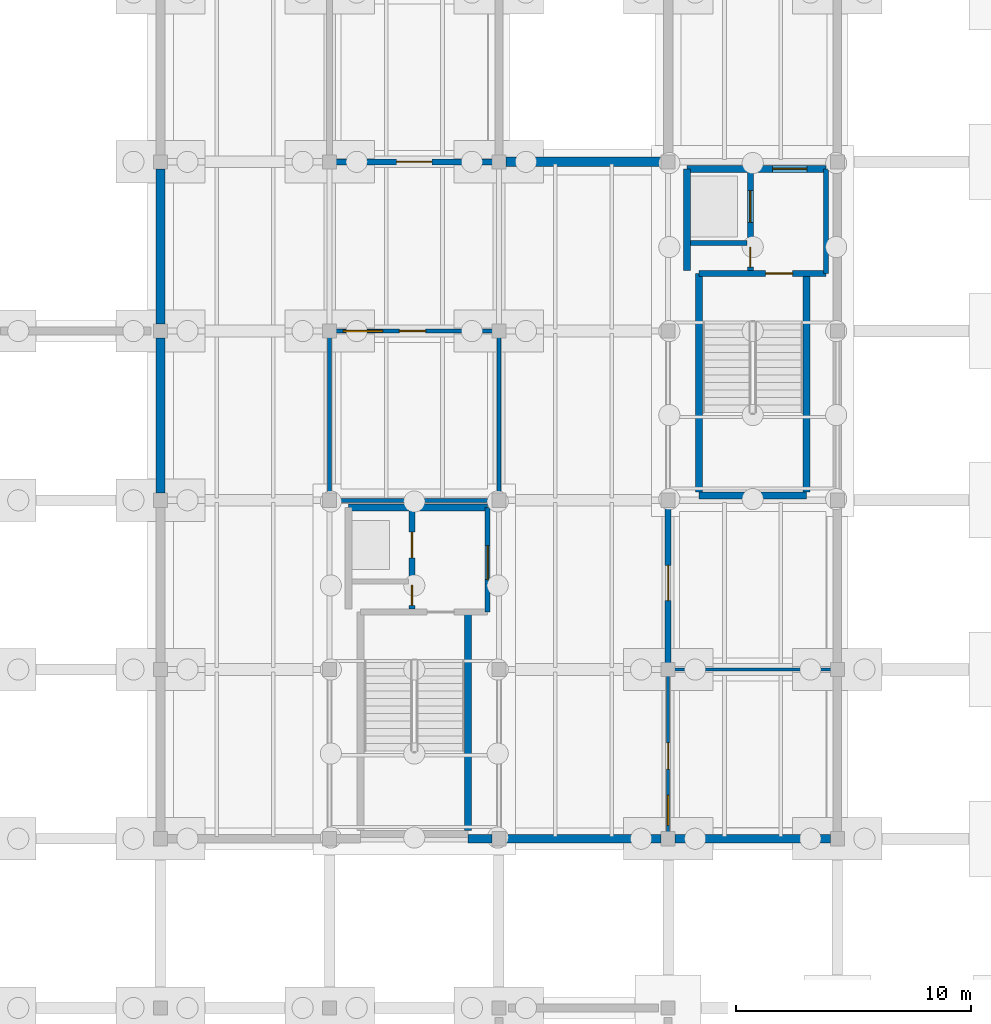
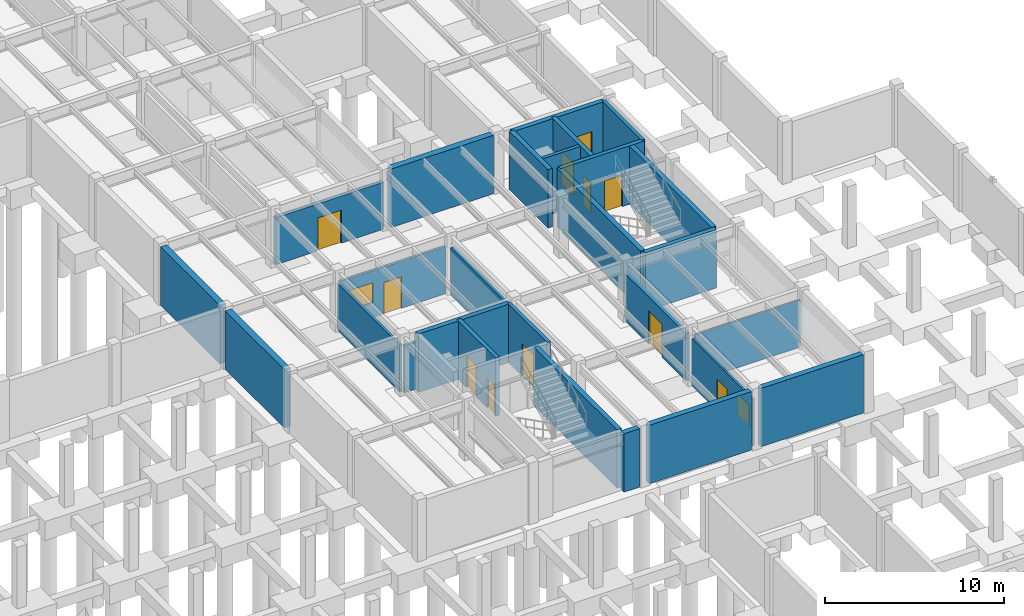
# One storey, part 33 of 46: 27 walls, 11 doors, 2 windows, 13 openings.
"""IFC4 building model written with IfcOpenShell, lengths in metres."""

from ifc_helpers import new_model, si_unit, direction, frame, frame_2d, origin, place, context, subcontext, project, spatial, rectangle, extrude, material, layer, layer_set, type_object, element, fill, save


model = new_model("IFC4")

# Units and contexts
model_context = context("Model", 3, precision=1e-05, world=origin(), true_north=direction((0.0, 1.0)))
body_context = subcontext(model_context, "Body", "Model", "MODEL_VIEW")
ifc_project = project(units=[si_unit("LENGTHUNIT", "METRE"), si_unit("AREAUNIT", "SQUARE_METRE"), si_unit("VOLUMEUNIT", "CUBIC_METRE"), si_unit("PLANEANGLEUNIT", "RADIAN"), si_unit("MASSUNIT", "GRAM", prefix="KILO")], contexts=[model_context])

# Site, building, storey
site_placement = place(None, origin())
site = spatial("IfcSite", under=ifc_project, at=site_placement, CompositionType="ELEMENT")
building_placement = place(site_placement, origin())
building = spatial("IfcBuilding", under=site, at=building_placement, Name="Sillqori Civic Hall", CompositionType="ELEMENT")
storey_placement = place(building_placement, frame((0.0, 0.0, -4.199951171875)))
storey = spatial("IfcBuildingStorey", under=building, at=storey_placement, Name="B01", CompositionType="ELEMENT", Elevation=-4.199951171875)

# Walls
ifc_material_1 = material(Name="Concrete C35/45 (H35)", Category="concrete")
ifc_layer_1 = layer(ifc_material_1, 0.219970703125)
ifc_layer_set_1 = layer_set([ifc_layer_1], Name="Concrete C35/45 (H35)")
wall_type_1 = type_object("IfcWallType", Name="CW-SHR-220", PredefinedType="SHEAR", material=ifc_layer_set_1)
wall_1_placement = place(storey_placement, frame((123.35009765625, 61.35009765625, 0.0), z_axis=(0.0, 0.0, 1.0), x_axis=(1.0, 0.0, 0.0)))
element("IfcWall", 1, at=wall_1_placement, inside=storey, type_object=wall_type_1, Name="B01 C2 Lift-riser divider wall", PredefinedType="SHEAR", context=body_context, shape_type="SweptSolid", body=[
    extrude(rectangle(XDim=2.39990234375, YDim=0.219970703125, at=frame_2d((1.199951171875, 0.0))), origin(), (0.0, 0.0, 1.0), 3.97998046875),
])
wall_2_placement = place(storey_placement, frame((129.1201171875, 64.5, 0.0), z_axis=(0.0, 0.0, 1.0), x_axis=(0.0, -1.0, 0.0)))
element("IfcWall", 2, at=wall_2_placement, inside=storey, type_object=wall_type_1, Name="B01 C2 firefighting lobby enclosure wall", PredefinedType="SHEAR", context=body_context, shape_type="SweptSolid", body=[
    extrude(rectangle(XDim=4.449951171875, YDim=0.219970703125, at=frame_2d((2.22509765625, 0.0))), origin(), (0.0, 0.0, 1.0), 3.97998046875),
])

# Wall, opening, door
wall_3_placement = place(storey_placement, frame((114.719970703125, 50.10009765625, 0.0), z_axis=(0.0, 0.0, 1.0), x_axis=(0.0, -1.0, 0.0)))
wall_3 = element("IfcWall", 3, at=wall_3_placement, inside=storey, type_object=wall_type_1, Name="B01 C3 firefighting lobby enclosure wall", PredefinedType="SHEAR", context=body_context, shape_type="SweptSolid", body=[
    extrude(rectangle(XDim=4.4501953125, YDim=0.219970703125, at=frame_2d((2.22509765625, 0.0))), origin(), (0.0, 0.0, 1.0), 3.97998046875),
])
opening_1_placement = place(wall_3_placement, frame((1.625, 0.0, 0.0)))
opening_1 = element("IfcOpeningElement", 4, at=opening_1_placement, cuts=wall_3, Name="Opening FD-03", PredefinedType="OPENING", context=body_context, shape_type="SweptSolid", body=[
    extrude(rectangle(XDim=1.449951171875, YDim=2.199951171875, at=frame_2d((0.72509765625, 1.10009765625))), frame((0.0, 0.119873046875, 0.0), z_axis=(0.0, -1.0, 0.0), x_axis=(1.0, 0.0, 0.0)), (0.0, 0.0, 1.0), 0.239990234375),
])
ifc_material_2 = material(Name="Double-Leaf Smoke-Seal Lobby Door", Category="steel")
door_type_1 = type_object("IfcDoorType", Name="FDR-LOB-145X220", OperationType="NOTDEFINED", PredefinedType="DOOR", material=ifc_material_2)
door_1_placement = place(opening_1_placement, origin())
door_1 = element("IfcDoor", 5, at=door_1_placement, inside=storey, type_object=door_type_1, Name="B01 C3 firefighting lobby exit door", OperationType="DOUBLE_DOOR_SINGLE_SWING", OverallHeight=2.199951171875, OverallWidth=1.449951171875, PredefinedType="DOOR", context=body_context, shape_type="SweptSolid", body=[
    extrude(rectangle(XDim=1.449951171875, YDim=2.199951171875, at=frame_2d((0.72509765625, 1.10009765625))), frame((0.0, 0.02490234375, 0.0), z_axis=(0.0, -1.0, 0.0), x_axis=(1.0, 0.0, 0.0)), (0.0, 0.0, 1.0), 0.050048828125),
])
fill(opening_1, door_1)

ifc_layer_2 = layer(ifc_material_1, 0.260009765625)
ifc_layer_set_2 = layer_set([ifc_layer_2], Name="Concrete C35/45 (H35)")
wall_type_2 = type_object("IfcWallType", Name="CW-SHR-260", PredefinedType="SHEAR", material=ifc_layer_set_2)
wall_4_placement = place(storey_placement, frame((123.7099609375, 60.050048828125, 0.0), z_axis=(0.0, 0.0, 1.0), x_axis=(1.0, 0.0, 0.0)))
wall_4 = element("IfcWall", 6, at=wall_4_placement, inside=storey, type_object=wall_type_2, Name="B01 C2 Stair-lobby fire wall", PredefinedType="SHEAR", context=body_context, shape_type="SweptSolid", body=[
    extrude(rectangle(XDim=5.41015625, YDim=0.260009765625, at=frame_2d((2.705078125, 0.0))), origin(), (0.0, 0.0, 1.0), 3.97998046875),
])
opening_2_placement = place(wall_4_placement, frame((2.840087890625, 0.0, 0.0)))
opening_2 = element("IfcOpeningElement", 7, at=opening_2_placement, cuts=wall_4, Name="Opening FD-01", PredefinedType="OPENING", context=body_context, shape_type="SweptSolid", body=[
    extrude(rectangle(XDim=1.14990234375, YDim=2.14990234375, at=frame_2d((0.574951171875, 1.074951171875))), frame((0.0, 0.139892578125, 0.0), z_axis=(0.0, -1.0, 0.0), x_axis=(1.0, 0.0, 0.0)), (0.0, 0.0, 1.0), 0.280029296875),
])
ifc_material_3 = material(Name="Galvanized Steel Fire Door FD90S", Category="steel")
door_type_2 = type_object("IfcDoorType", Name="FDR-STR-115X215", OperationType="NOTDEFINED", PredefinedType="DOOR", material=ifc_material_3)
door_2_placement = place(opening_2_placement, origin())
door_2 = element("IfcDoor", 8, at=door_2_placement, inside=storey, type_object=door_type_2, Name="B01 stair ST-02 fire door", OperationType="SINGLE_SWING_RIGHT", OverallHeight=2.14990234375, OverallWidth=1.14990234375, PredefinedType="DOOR", context=body_context, shape_type="SweptSolid", body=[
    extrude(rectangle(XDim=1.14990234375, YDim=2.14990234375, at=frame_2d((0.574951171875, 1.074951171875))), frame((0.0, 0.02490234375, 0.0), z_axis=(0.0, -1.0, 0.0), x_axis=(1.0, 0.0, 0.0)), (0.0, 0.0, 1.0), 0.050048828125),
])
fill(opening_2, door_2)

# Wall, openings, doors
wall_5_placement = place(storey_placement, frame((125.89990234375, 64.5, 0.0), z_axis=(0.0, 0.0, 1.0), x_axis=(0.0, -1.0, 0.0)))
wall_5 = element("IfcWall", 9, at=wall_5_placement, inside=storey, type_object=wall_type_2, Name="B01 C2 Lift landing & riser front wall", PredefinedType="SHEAR", context=body_context, shape_type="SweptSolid", body=[
    extrude(rectangle(XDim=4.320068359375, YDim=0.260009765625, at=frame_2d((2.16015625, 0.0))), origin(), (0.0, 0.0, 1.0), 3.97998046875),
])
opening_3_placement = place(wall_5_placement, frame((0.925048828125, 0.0, 0.0)))
opening_3 = element("IfcOpeningElement", 10, at=opening_3_placement, cuts=wall_5, Name="Opening LD-03", PredefinedType="OPENING", context=body_context, shape_type="SweptSolid", body=[
    extrude(rectangle(XDim=1.35009765625, YDim=2.199951171875, at=frame_2d((0.675048828125, 1.10009765625))), frame((0.0, 0.139892578125, 0.0), z_axis=(0.0, -1.0, 0.0), x_axis=(1.0, 0.0, 0.0)), (0.0, 0.0, 1.0), 0.280029296875),
])
opening_4_placement = place(wall_5_placement, frame((3.324951171875, 0.0, 0.0)))
opening_4 = element("IfcOpeningElement", 11, at=opening_4_placement, cuts=wall_5, Name="Opening FD-05", PredefinedType="OPENING", context=body_context, shape_type="SweptSolid", body=[
    extrude(rectangle(XDim=0.85009765625, YDim=2.050048828125, at=frame_2d((0.425048828125, 1.02490234375))), frame((0.0, 0.139892578125, 0.0), z_axis=(0.0, -1.0, 0.0), x_axis=(1.0, 0.0, 0.0)), (0.0, 0.0, 1.0), 0.280029296875),
])
ifc_material_4 = material(Name="Steel Riser Access Fire Door", Category="steel")
door_type_3 = type_object("IfcDoorType", Name="FDR-RSR-085X205", OperationType="NOTDEFINED", PredefinedType="DOOR", material=ifc_material_4)
door_3_placement = place(opening_4_placement, origin())
door_3 = element("IfcDoor", 12, at=door_3_placement, inside=storey, type_object=door_type_3, Name="B01 MEP riser C2 fire access door", OperationType="SINGLE_SWING_LEFT", OverallHeight=2.050048828125, OverallWidth=0.85009765625, PredefinedType="DOOR", context=body_context, shape_type="SweptSolid", body=[
    extrude(rectangle(XDim=0.85009765625, YDim=2.050048828125, at=frame_2d((0.425048828125, 1.02490234375))), frame((0.0, 0.02490234375, 0.0), z_axis=(0.0, -1.0, 0.0), x_axis=(1.0, 0.0, 0.0)), (0.0, 0.0, 1.0), 0.050048828125),
])
fill(opening_4, door_3)
ifc_material_5 = material(Name="Service Freight Lift Landing Door", Category="steel")
door_type_4 = type_object("IfcDoorType", Name="LDR-SERV-135X220", OperationType="NOTDEFINED", PredefinedType="DOOR", material=ifc_material_5)
door_4_placement = place(opening_3_placement, origin())
door_4 = element("IfcDoor", 13, at=door_4_placement, inside=storey, type_object=door_type_4, Name="B01 lift LF-08 sliding landing door", OperationType="DOUBLE_DOOR_SLIDING", OverallHeight=2.199951171875, OverallWidth=1.35009765625, PredefinedType="DOOR", context=body_context, shape_type="SweptSolid", body=[
    extrude(rectangle(XDim=1.35009765625, YDim=2.199951171875, at=frame_2d((0.675048828125, 1.10009765625))), frame((0.0, 0.02490234375, 0.0), z_axis=(0.0, -1.0, 0.0), x_axis=(1.0, 0.0, 0.0)), (0.0, 0.0, 1.0), 0.050048828125),
])
fill(opening_3, door_4)

wall_6_placement = place(storey_placement, frame((111.5, 50.10009765625, 0.0), z_axis=(0.0, 0.0, 1.0), x_axis=(0.0, -1.0, 0.0)))
wall_6 = element("IfcWall", 14, at=wall_6_placement, inside=storey, type_object=wall_type_2, Name="B01 C3 Lift landing & riser front wall", PredefinedType="SHEAR", context=body_context, shape_type="SweptSolid", body=[
    extrude(rectangle(XDim=4.320068359375, YDim=0.260009765625, at=frame_2d((2.16015625, 0.0))), origin(), (0.0, 0.0, 1.0), 3.97998046875),
])
opening_5_placement = place(wall_6_placement, frame((1.050048828125, 0.0, 0.0)))
opening_5 = element("IfcOpeningElement", 15, at=opening_5_placement, cuts=wall_6, Name="Opening LD-01", PredefinedType="OPENING", context=body_context, shape_type="SweptSolid", body=[
    extrude(rectangle(XDim=1.10009765625, YDim=2.14990234375, at=frame_2d((0.550048828125, 1.074951171875))), frame((0.0, 0.139892578125, 0.0), z_axis=(0.0, -1.0, 0.0), x_axis=(1.0, 0.0, 0.0)), (0.0, 0.0, 1.0), 0.280029296875),
])
opening_6_placement = place(wall_6_placement, frame((3.324951171875, 0.0, 0.0)))
opening_6 = element("IfcOpeningElement", 16, at=opening_6_placement, cuts=wall_6, Name="Opening FD-05", PredefinedType="OPENING", context=body_context, shape_type="SweptSolid", body=[
    extrude(rectangle(XDim=0.85009765625, YDim=2.050048828125, at=frame_2d((0.425048828125, 1.02490234375))), frame((0.0, 0.139892578125, 0.0), z_axis=(0.0, -1.0, 0.0), x_axis=(1.0, 0.0, 0.0)), (0.0, 0.0, 1.0), 0.280029296875),
])
door_5_placement = place(opening_6_placement, origin())
door_5 = element("IfcDoor", 17, at=door_5_placement, inside=storey, type_object=door_type_3, Name="B01 MEP riser C3 fire access door", OperationType="SINGLE_SWING_LEFT", OverallHeight=2.050048828125, OverallWidth=0.85009765625, PredefinedType="DOOR", context=body_context, shape_type="SweptSolid", body=[
    extrude(rectangle(XDim=0.85009765625, YDim=2.050048828125, at=frame_2d((0.425048828125, 1.02490234375))), frame((0.0, 0.02490234375, 0.0), z_axis=(0.0, -1.0, 0.0), x_axis=(1.0, 0.0, 0.0)), (0.0, 0.0, 1.0), 0.050048828125),
])
fill(opening_6, door_5)
ifc_material_6 = material(Name="Stainless Steel Lift Landing Door", Category="steel")
door_type_5 = type_object("IfcDoorType", Name="LDR-PASS-110X215", OperationType="NOTDEFINED", PredefinedType="DOOR", material=ifc_material_6)
door_6_placement = place(opening_5_placement, origin())
door_6 = element("IfcDoor", 18, at=door_6_placement, inside=storey, type_object=door_type_5, Name="B01 lift LF-05 sliding landing door", OperationType="DOUBLE_DOOR_SLIDING", OverallHeight=2.14990234375, OverallWidth=1.10009765625, PredefinedType="DOOR", context=body_context, shape_type="SweptSolid", body=[
    extrude(rectangle(XDim=1.10009765625, YDim=2.14990234375, at=frame_2d((0.550048828125, 1.074951171875))), frame((0.0, 0.02490234375, 0.0), z_axis=(0.0, -1.0, 0.0), x_axis=(1.0, 0.0, 0.0)), (0.0, 0.0, 1.0), 0.050048828125),
])
fill(opening_5, door_6)

# Walls
ifc_layer_3 = layer(ifc_material_1, 0.300048828125)
ifc_layer_set_3 = layer_set([ifc_layer_3], Name="Concrete C35/45 (H35)")
wall_type_3 = type_object("IfcWallType", Name="CW-SHR-300", PredefinedType="SHEAR", material=ifc_layer_set_3)
wall_7_placement = place(storey_placement, frame((123.7099609375, 50.60009765625, 0.0), z_axis=(0.0, 0.0, 1.0), x_axis=(1.0, 0.0, 0.0)))
element("IfcWall", 19, at=wall_7_placement, inside=storey, type_object=wall_type_3, Name="B01 C2 Stair south shear wall", PredefinedType="SHEAR", context=body_context, shape_type="SweptSolid", body=[
    extrude(rectangle(XDim=4.580078125, YDim=0.300048828125, at=frame_2d((2.2900390625, 0.0))), origin(), (0.0, 0.0, 1.0), 3.97998046875),
])
for number, where, z_axis, x_axis, name in (
    (20, (123.7099609375, 50.75, 0.0), (0.0, 0.0, 1.0), (0.0, 1.0, 0.0), "B01 C2 Stair west shear wall"),
    (21, (128.2900390625, 50.75, 0.0), (0.0, 0.0, 1.0), (0.0, 1.0, 0.0), "B01 C2 Stair east shear wall"),
):
    element("IfcWall", number, at=place(storey_placement, frame(where, z_axis=z_axis, x_axis=x_axis)), inside=storey, type_object=wall_type_3, Name=name, PredefinedType="SHEAR", context=body_context, shape_type="SweptSolid", body=[
        extrude(rectangle(XDim=9.300048828125, YDim=0.300048828125, at=frame_2d((4.64990234375, 0.0))), origin(), (0.0, 0.0, 1.0), 3.97998046875),
    ])
wall_8_placement = place(storey_placement, frame((123.199951171875, 60.179931640625, 0.0), z_axis=(0.0, 0.0, 1.0), x_axis=(0.0, 1.0, 0.0)))
element("IfcWall", 22, at=wall_8_placement, inside=storey, type_object=wall_type_3, Name="B01 C2 Lift shaft west shear wall", PredefinedType="SHEAR", context=body_context, shape_type="SweptSolid", body=[
    extrude(rectangle(XDim=4.320068359375, YDim=0.300048828125, at=frame_2d((2.16015625, 0.0))), origin(), (0.0, 0.0, 1.0), 3.97998046875),
])

# Wall, opening, door
wall_9_placement = place(storey_placement, frame((123.199951171875, 64.5, 0.0), z_axis=(0.0, 0.0, 1.0), x_axis=(1.0, 0.0, 0.0)))
wall_9 = element("IfcWall", 23, at=wall_9_placement, inside=storey, type_object=wall_type_3, Name="B01 C2 Core north shear wall", PredefinedType="SHEAR", context=body_context, shape_type="SweptSolid", body=[
    extrude(rectangle(XDim=5.920166015625, YDim=0.300048828125, at=frame_2d((2.9599609375, 0.0))), origin(), (0.0, 0.0, 1.0), 3.97998046875),
])
opening_7_placement = place(wall_9_placement, frame((3.64990234375, 0.0, 0.0)))
opening_7 = element("IfcOpeningElement", 24, at=opening_7_placement, cuts=wall_9, Name="Opening FD-03", PredefinedType="OPENING", context=body_context, shape_type="SweptSolid", body=[
    extrude(rectangle(XDim=1.449951171875, YDim=2.199951171875, at=frame_2d((0.72509765625, 1.10009765625))), frame((0.0, 0.159912109375, 0.0), z_axis=(0.0, -1.0, 0.0), x_axis=(1.0, 0.0, 0.0)), (0.0, 0.0, 1.0), 0.320068359375),
])
door_7_placement = place(opening_7_placement, origin())
door_7 = element("IfcDoor", 25, at=door_7_placement, inside=storey, type_object=door_type_1, Name="B01 C2 firefighting lobby north exit door", OperationType="DOUBLE_DOOR_SINGLE_SWING", OverallHeight=2.199951171875, OverallWidth=1.449951171875, PredefinedType="DOOR", context=body_context, shape_type="SweptSolid", body=[
    extrude(rectangle(XDim=1.449951171875, YDim=2.199951171875, at=frame_2d((0.72509765625, 1.10009765625))), frame((0.0, 0.02490234375, 0.0), z_axis=(0.0, -1.0, 0.0), x_axis=(1.0, 0.0, 0.0)), (0.0, 0.0, 1.0), 0.050048828125),
])
fill(opening_7, door_7)

# Walls
wall_10_placement = place(storey_placement, frame((113.889892578125, 36.35009765625, 0.0), z_axis=(0.0, 0.0, 1.0), x_axis=(0.0, 1.0, 0.0)))
element("IfcWall", 26, at=wall_10_placement, inside=storey, type_object=wall_type_3, Name="B01 C3 Stair east shear wall", PredefinedType="SHEAR", context=body_context, shape_type="SweptSolid", body=[
    extrude(rectangle(XDim=9.2998046875, YDim=0.300048828125, at=frame_2d((4.64990234375, 0.0))), origin(), (0.0, 0.0, 1.0), 3.97998046875),
])
wall_11_placement = place(storey_placement, frame((108.800048828125, 50.10009765625, 0.0), z_axis=(0.0, 0.0, 1.0), x_axis=(1.0, 0.0, 0.0)))
element("IfcWall", 27, at=wall_11_placement, inside=storey, type_object=wall_type_3, Name="B01 C3 Core north shear wall", PredefinedType="SHEAR", context=body_context, shape_type="SweptSolid", body=[
    extrude(rectangle(XDim=5.919921875, YDim=0.300048828125, at=frame_2d((2.9599609375, 0.0))), origin(), (0.0, 0.0, 1.0), 3.97998046875),
])

# Wall, openings, door, window
ifc_material_7 = material(Name="Double-Board Acoustic Partition 128", Category="gypsum")
ifc_layer_4 = layer(ifc_material_7, 0.1279296875)
ifc_layer_set_4 = layer_set([ifc_layer_4], Name="Double-Board Acoustic Partition 128")
wall_type_4 = type_object("IfcWallType", Name="PT-GYP-128", PredefinedType="PARTITIONING", material=ifc_layer_set_4)
wall_12_placement = place(storey_placement, frame((122.39990234375, 36.1201171875, 0.0), z_axis=(0.0, 0.0, 1.0), x_axis=(0.0, 1.0, 0.0)))
wall_12 = element("IfcWall", 28, at=wall_12_placement, inside=storey, type_object=wall_type_4, Name="Municipal Records Storage Vault B01-10 partition W1", PredefinedType="PARTITIONING", context=body_context, shape_type="SweptSolid", body=[
    extrude(rectangle(XDim=6.7998046875, YDim=0.1279296875, at=frame_2d((3.39990234375, 0.0))), origin(), (0.0, 0.0, 1.0), 3.2080078125),
])
opening_8_placement = place(wall_12_placement, frame((2.840087890625, 0.0, 0.0)))
opening_8 = element("IfcOpeningElement", 29, at=opening_8_placement, cuts=wall_12, Name="Opening ID-22", PredefinedType="OPENING", context=body_context, shape_type="SweptSolid", body=[
    extrude(rectangle(XDim=1.1201171875, YDim=2.14990234375, at=frame_2d((0.56005859375, 1.074951171875))), frame((0.0, 0.073974609375, 0.0), z_axis=(0.0, -1.0, 0.0), x_axis=(1.0, 0.0, 0.0)), (0.0, 0.0, 1.0), 0.14794921875),
])
opening_9_placement = place(wall_12_placement, frame((0.449951171875, 0.0, 1.050048828125)))
opening_9 = element("IfcOpeningElement", 30, at=opening_9_placement, cuts=wall_12, Name="Opening IW-47", PredefinedType="OPENING", context=body_context, shape_type="SweptSolid", body=[
    extrude(rectangle(XDim=1.280029296875, YDim=1.43994140625, at=frame_2d((0.64013671875, 0.719970703125))), frame((0.0, 0.073974609375, 0.0), z_axis=(0.0, -1.0, 0.0), x_axis=(1.0, 0.0, 0.0)), (0.0, 0.0, 1.0), 0.14794921875),
])
ifc_material_8 = material(Name="Storage & Mailroom Service Door", Category="steel")
door_type_6 = type_object("IfcDoorType", Name="IDR-STR-112X215", OperationType="NOTDEFINED", PredefinedType="DOOR", material=ifc_material_8)
door_8_placement = place(opening_8_placement, origin())
door_8 = element("IfcDoor", 31, at=door_8_placement, inside=storey, type_object=door_type_6, Name="Municipal Records Storage Vault B01-10 entrance door", OperationType="SINGLE_SWING_LEFT", OverallHeight=2.14990234375, OverallWidth=1.1201171875, PredefinedType="DOOR", context=body_context, shape_type="SweptSolid", body=[
    extrude(rectangle(XDim=1.1201171875, YDim=2.14990234375, at=frame_2d((0.56005859375, 1.074951171875))), frame((0.0, 0.02490234375, 0.0), z_axis=(0.0, -1.0, 0.0), x_axis=(1.0, 0.0, 0.0)), (0.0, 0.0, 1.0), 0.050048828125),
])
fill(opening_8, door_8)
ifc_material_9 = material(Name="Acoustic Laminated Interior Clerestory Glazing", Category="glass")
window_type_1 = type_object("IfcWindowType", Name="IWN-GAL-128X144", PartitioningType="SINGLE_PANEL", PredefinedType="WINDOW", material=ifc_material_9)
window_1_placement = place(opening_9_placement, origin())
window_1 = element("IfcWindow", 32, at=window_1_placement, inside=storey, type_object=window_type_1, Name="Municipal Records Storage Vault B01-10 borrowed-light screen", OverallHeight=1.43994140625, OverallWidth=1.280029296875, PartitioningType="SINGLE_PANEL", PredefinedType="WINDOW", context=body_context, shape_type="SweptSolid", body=[
    extrude(rectangle(XDim=1.280029296875, YDim=1.43994140625, at=frame_2d((0.64013671875, 0.719970703125))), frame((0.0, 0.030029296875, 0.0), z_axis=(0.0, -1.0, 0.0), x_axis=(1.0, 0.0, 0.0)), (0.0, 0.0, 1.0), 0.06005859375),
])
fill(opening_9, window_1)

# Wall
wall_13_placement = place(storey_placement, frame((122.679931640625, 43.199951171875, 0.0), z_axis=(0.0, 0.0, 1.0), x_axis=(1.0, 0.0, 0.0)))
element("IfcWall", 33, at=wall_13_placement, inside=storey, type_object=wall_type_4, Name="Municipal Records Storage Vault B01-10 partition N2", PredefinedType="PARTITIONING", context=body_context, shape_type="SweptSolid", body=[
    extrude(rectangle(XDim=6.800048828125, YDim=0.1279296875, at=frame_2d((3.39990234375, 0.0))), origin(), (0.0, 0.0, 1.0), 3.2080078125),
])

# Wall, opening, door
ifc_material_10 = material(Name="Concrete C25/30 (H25)", Category="concrete")
ifc_layer_5 = layer(ifc_material_10, 0.25)
ifc_layer_set_5 = layer_set([ifc_layer_5], Name="Concrete C25/30 (H25)")
wall_type_5 = type_object("IfcWallType", Name="PT-PLT-250", PredefinedType="PARTITIONING", material=ifc_layer_set_5)
wall_14_placement = place(storey_placement, frame((115.080078125, 64.800048828125, 0.0), z_axis=(0.0, 0.0, 1.0), x_axis=(-1.0, 0.0, 0.0)))
wall_14 = element("IfcWall", 34, at=wall_14_placement, inside=storey, type_object=wall_type_5, Name="Main Medium-Voltage Transformer Room B01-06 partition S1", PredefinedType="PARTITIONING", context=body_context, shape_type="SweptSolid", body=[
    extrude(rectangle(XDim=6.9599609375, YDim=0.25, at=frame_2d((3.47998046875, 0.0))), origin(), (0.0, 0.0, 1.0), 3.2080078125),
])
opening_10_placement = place(wall_14_placement, frame((2.72998046875, 0.0, 0.0)))
opening_10 = element("IfcOpeningElement", 35, at=opening_10_placement, cuts=wall_14, Name="Opening FD-07", PredefinedType="OPENING", context=body_context, shape_type="SweptSolid", body=[
    extrude(rectangle(XDim=1.5, YDim=2.25, at=frame_2d((0.75, 1.125))), frame((0.0, 0.135009765625, 0.0), z_axis=(0.0, -1.0, 0.0), x_axis=(1.0, 0.0, 0.0)), (0.0, 0.0, 1.0), 0.27001953125),
])
ifc_material_11 = material(Name="Double-Leaf Plant Room Fire Door", Category="steel")
door_type_7 = type_object("IfcDoorType", Name="FDR-PLT-150X225", OperationType="NOTDEFINED", PredefinedType="DOOR", material=ifc_material_11)
door_9_placement = place(opening_10_placement, origin())
door_9 = element("IfcDoor", 36, at=door_9_placement, inside=storey, type_object=door_type_7, Name="Main Medium-Voltage Transformer Room B01-06 entrance door", OperationType="DOUBLE_DOOR_SINGLE_SWING", OverallHeight=2.25, OverallWidth=1.5, PredefinedType="DOOR", context=body_context, shape_type="SweptSolid", body=[
    extrude(rectangle(XDim=1.5, YDim=2.25, at=frame_2d((0.75, 1.125))), frame((0.0, 0.02490234375, 0.0), z_axis=(0.0, -1.0, 0.0), x_axis=(1.0, 0.0, 0.0)), (0.0, 0.0, 1.0), 0.050048828125),
])
fill(opening_10, door_9)

wall_15_placement = place(storey_placement, frame((122.39990234375, 43.47998046875, 0.0), z_axis=(0.0, 0.0, 1.0), x_axis=(0.0, 1.0, 0.0)))
wall_15 = element("IfcWall", 37, at=wall_15_placement, inside=storey, type_object=wall_type_5, Name="Main Medium-Voltage Transformer Room B01-11 partition W1", PredefinedType="PARTITIONING", context=body_context, shape_type="SweptSolid", body=[
    extrude(rectangle(XDim=6.800048828125, YDim=0.25, at=frame_2d((3.39990234375, 0.0))), origin(), (0.0, 0.0, 1.0), 3.2080078125),
])
opening_11_placement = place(wall_15_placement, frame((2.64990234375, 0.0, 0.0)))
opening_11 = element("IfcOpeningElement", 38, at=opening_11_placement, cuts=wall_15, Name="Opening FD-07", PredefinedType="OPENING", context=body_context, shape_type="SweptSolid", body=[
    extrude(rectangle(XDim=1.5, YDim=2.25, at=frame_2d((0.75, 1.125))), frame((0.0, 0.135009765625, 0.0), z_axis=(0.0, -1.0, 0.0), x_axis=(1.0, 0.0, 0.0)), (0.0, 0.0, 1.0), 0.27001953125),
])
door_10_placement = place(opening_11_placement, origin())
door_10 = element("IfcDoor", 39, at=door_10_placement, inside=storey, type_object=door_type_7, Name="Main Medium-Voltage Transformer Room B01-11 entrance door", OperationType="DOUBLE_DOOR_SINGLE_SWING", OverallHeight=2.25, OverallWidth=1.5, PredefinedType="DOOR", context=body_context, shape_type="SweptSolid", body=[
    extrude(rectangle(XDim=1.5, YDim=2.25, at=frame_2d((0.75, 1.125))), frame((0.0, 0.02490234375, 0.0), z_axis=(0.0, -1.0, 0.0), x_axis=(1.0, 0.0, 0.0)), (0.0, 0.0, 1.0), 0.050048828125),
])
fill(opening_11, door_10)

# Wall, openings, door, window
ifc_material_12 = material(Name="Limestone-Veneer Ceremonial Wall 168", Category="masonry")
ifc_layer_6 = layer(ifc_material_12, 0.16796875)
ifc_layer_set_6 = layer_set([ifc_layer_6], Name="Limestone-Veneer Ceremonial Wall 168")
wall_type_6 = type_object("IfcWallType", Name="PT-STN-168", PredefinedType="PARTITIONING", material=ifc_layer_set_6)
wall_16_placement = place(storey_placement, frame((108.1201171875, 57.60009765625, 0.0), z_axis=(0.0, 0.0, 1.0), x_axis=(1.0, 0.0, 0.0)))
wall_16 = element("IfcWall", 40, at=wall_16_placement, inside=storey, type_object=wall_type_6, Name="Municipal Records Storage Vault partition N1", PredefinedType="PARTITIONING", context=body_context, shape_type="SweptSolid", body=[
    extrude(rectangle(XDim=6.7998046875, YDim=0.16796875, at=frame_2d((3.39990234375, 0.0))), origin(), (0.0, 0.0, 1.0), 3.2080078125),
])
opening_12_placement = place(wall_16_placement, frame((2.840087890625, 0.0, 0.0)))
opening_12 = element("IfcOpeningElement", 41, at=opening_12_placement, cuts=wall_16, Name="Opening ID-22", PredefinedType="OPENING", context=body_context, shape_type="SweptSolid", body=[
    extrude(rectangle(XDim=1.1201171875, YDim=2.14990234375, at=frame_2d((0.56005859375, 1.074951171875))), frame((0.0, 0.093994140625, 0.0), z_axis=(0.0, -1.0, 0.0), x_axis=(1.0, 0.0, 0.0)), (0.0, 0.0, 1.0), 0.18798828125),
])
opening_13_placement = place(wall_16_placement, frame((0.449951171875, 0.0, 1.050048828125)))
opening_13 = element("IfcOpeningElement", 42, at=opening_13_placement, cuts=wall_16, Name="Opening IW-42", PredefinedType="OPENING", context=body_context, shape_type="SweptSolid", body=[
    extrude(rectangle(XDim=1.679931640625, YDim=1.340087890625, at=frame_2d((0.83984375, 0.669921875))), frame((0.0, 0.093994140625, 0.0), z_axis=(0.0, -1.0, 0.0), x_axis=(1.0, 0.0, 0.0)), (0.0, 0.0, 1.0), 0.18798828125),
])
door_11_placement = place(opening_12_placement, origin())
door_11 = element("IfcDoor", 43, at=door_11_placement, inside=storey, type_object=door_type_6, Name="Municipal Records Storage Vault entrance door", OperationType="SINGLE_SWING_RIGHT", OverallHeight=2.14990234375, OverallWidth=1.1201171875, PredefinedType="DOOR", context=body_context, shape_type="SweptSolid", body=[
    extrude(rectangle(XDim=1.1201171875, YDim=2.14990234375, at=frame_2d((0.56005859375, 1.074951171875))), frame((0.0, 0.02490234375, 0.0), z_axis=(0.0, -1.0, 0.0), x_axis=(1.0, 0.0, 0.0)), (0.0, 0.0, 1.0), 0.050048828125),
])
fill(opening_12, door_11)
window_type_2 = type_object("IfcWindowType", Name="IWN-GAL-168X134", PartitioningType="SINGLE_PANEL", PredefinedType="WINDOW", material=ifc_material_9)
window_2_placement = place(opening_13_placement, origin())
window_2 = element("IfcWindow", 44, at=window_2_placement, inside=storey, type_object=window_type_2, Name="Municipal Records Storage Vault borrowed-light screen", OverallHeight=1.340087890625, OverallWidth=1.679931640625, PartitioningType="SINGLE_PANEL", PredefinedType="WINDOW", context=body_context, shape_type="SweptSolid", body=[
    extrude(rectangle(XDim=1.679931640625, YDim=1.340087890625, at=frame_2d((0.83984375, 0.669921875))), frame((0.0, 0.030029296875, 0.0), z_axis=(0.0, -1.0, 0.0), x_axis=(1.0, 0.0, 0.0)), (0.0, 0.0, 1.0), 0.06005859375),
])
fill(opening_13, window_2)

# Walls
for number, where, z_axis, x_axis, name in (
    (45, (115.080078125, 50.39990234375, 0.0), (0.0, 0.0, 1.0), (-1.0, 0.0, 0.0), "Municipal Records Storage Vault partition S2"),
    (46, (108.0, 50.52001953125, 0.0), (0.0, 0.0, 1.0), (0.0, 1.0, 0.0), "Municipal Records Storage Vault partition W3"),
):
    element("IfcWall", number, at=place(storey_placement, frame(where, z_axis=z_axis, x_axis=x_axis)), inside=storey, type_object=wall_type_6, Name=name, PredefinedType="PARTITIONING", context=body_context, shape_type="SweptSolid", body=[
        extrude(rectangle(XDim=6.9599609375, YDim=0.16796875, at=frame_2d((3.47998046875, 0.0))), origin(), (0.0, 0.0, 1.0), 3.2080078125),
    ])
wall_17_placement = place(storey_placement, frame((115.199951171875, 57.320068359375, 0.0), z_axis=(0.0, 0.0, 1.0), x_axis=(0.0, -1.0, 0.0)))
element("IfcWall", 47, at=wall_17_placement, inside=storey, type_object=wall_type_6, Name="Municipal Records Storage Vault partition E4", PredefinedType="PARTITIONING", context=body_context, shape_type="SweptSolid", body=[
    extrude(rectangle(XDim=6.800048828125, YDim=0.16796875, at=frame_2d((3.39990234375, 0.0))), origin(), (0.0, 0.0, 1.0), 3.2080078125),
])
ifc_layer_7 = layer(ifc_material_1, 0.35009765625)
ifc_layer_set_7 = layer_set([ifc_layer_7], Name="Concrete C35/45 (H35)")
wall_type_7 = type_object("IfcWallType", Name="RW-H35-350", PredefinedType="USERDEFINED", material=ifc_layer_set_7)
wall_18_placement = place(storey_placement, frame((113.889892578125, 36.0, 0.0), z_axis=(0.0, 0.0, 1.0), x_axis=(1.0, 0.0, 0.0)))
element("IfcWall", 48, at=wall_18_placement, inside=storey, type_object=wall_type_7, Name="Basement retaining wall S 15-5 part 2", ObjectType="RETAININGWALL", PredefinedType="USERDEFINED", context=body_context, shape_type="SweptSolid", body=[
    extrude(rectangle(XDim=1.010009765625, YDim=0.35009765625, at=frame_2d((0.5048828125, 0.0))), origin(), (0.0, 0.0, 1.0), 3.97998046875),
])
for number, where, z_axis, x_axis, name in (
    (49, (115.5, 36.0, 0.0), (0.0, 0.0, 1.0), (1.0, 0.0, 0.0), "Basement retaining wall S 16-5"),
    (50, (122.699951171875, 36.0, 0.0), (0.0, 0.0, 1.0), (1.0, 0.0, 0.0), "Basement retaining wall S 17-5"),
):
    element("IfcWall", number, at=place(storey_placement, frame(where, z_axis=z_axis, x_axis=x_axis)), inside=storey, type_object=wall_type_7, Name=name, ObjectType="RETAININGWALL", PredefinedType="USERDEFINED", context=body_context, shape_type="SweptSolid", body=[
        extrude(rectangle(XDim=6.60009765625, YDim=0.35009765625, at=frame_2d((3.300048828125, 0.0))), origin(), (0.0, 0.0, 1.0), 3.97998046875),
    ])
ifc_layer_8 = layer(ifc_material_1, 0.39990234375)
ifc_layer_set_8 = layer_set([ifc_layer_8], Name="Concrete C35/45 (H35)")
wall_type_8 = type_object("IfcWallType", Name="RW-H35-400", PredefinedType="USERDEFINED", material=ifc_layer_set_8)
for number, where, z_axis, x_axis, name in (
    (51, (100.800048828125, 50.699951171875, 0.0), (0.0, 0.0, 1.0), (0.0, 1.0, 0.0), "Basement retaining wall W 14-7"),
    (52, (100.800048828125, 57.89990234375, 0.0), (0.0, 0.0, 1.0), (0.0, 1.0, 0.0), "Basement retaining wall W 14-8"),
    (53, (115.5, 64.800048828125, 0.0), (0.0, 0.0, 1.0), (1.0, 0.0, 0.0), "Basement retaining wall N 16-8"),
):
    element("IfcWall", number, at=place(storey_placement, frame(where, z_axis=z_axis, x_axis=x_axis)), inside=storey, type_object=wall_type_8, Name=name, ObjectType="RETAININGWALL", PredefinedType="USERDEFINED", context=body_context, shape_type="SweptSolid", body=[
        extrude(rectangle(XDim=6.60009765625, YDim=0.39990234375, at=frame_2d((3.300048828125, 0.0))), origin(), (0.0, 0.0, 1.0), 3.97998046875),
    ])

save(model, "model.ifc")
